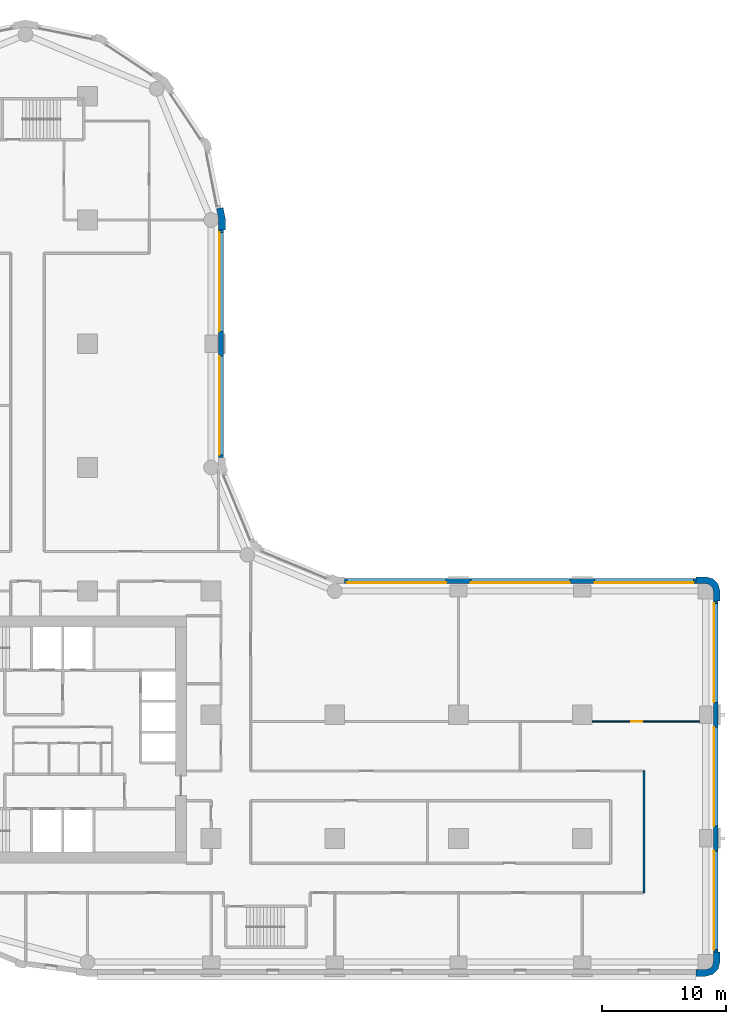
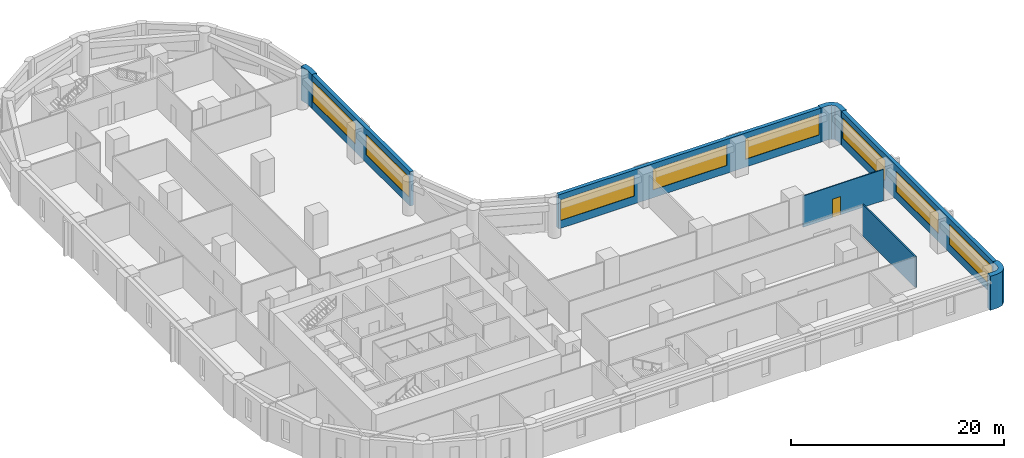
# One storey, part 7 of 11: 8 walls, 8 windows, 1 door, 9 openings.
"""IFC4 building model written with IfcOpenShell, lengths in metres."""

import ifcopenshell
import ifcopenshell.guid

model = None  # the IFC model being written
_history = None  # IfcOwnerHistory: only IFC2X3 demands one
_inside = {}  # id of a spatial element -> (the spatial element, [elements in it])
_under = {}  # id of a project, library or spatial element -> (it, [spatial elements below it])
_declared = {}  # id of a project -> (the project, [libraries it declares])
_typed = {}  # id of a type object -> (the type object, [elements of that type])
_made_of = {}  # id of a material, layer set ... -> (it, [elements and type objects made of it])


def new_model(schema):
    """Start an empty IFC model of exactly this schema.

    Asked for "IFC4X3", IfcOpenShell would pick the latest addendum, in which some entities
    have other attributes; the version numbers below select the first issue.
    IFC2X3 requires an IfcOwnerHistory on every rooted entity: one is made here for all.
    """
    global model, _history
    if schema == "IFC4X3":
        model = ifcopenshell.file(schema_version=(4, 3, 0, 0))
    else:
        model = ifcopenshell.file(schema=schema)
    _inside.clear()
    _under.clear()
    _declared.clear()
    _typed.clear()
    _made_of.clear()
    _history = None
    if model.schema == "IFC2X3":
        org = make("IfcOrganization", Name="unknown")
        user = make(
            "IfcPersonAndOrganization",
            ThePerson=make("IfcPerson", FamilyName="unknown"),
            TheOrganization=org,
        )
        app = make(
            "IfcApplication",
            ApplicationDeveloper=org,
            Version="unknown",
            ApplicationFullName="unknown",
            ApplicationIdentifier="unknown",
        )
        _history = make(
            "IfcOwnerHistory",
            OwningUser=user,
            OwningApplication=app,
            ChangeAction="ADDED",
            CreationDate=0,
        )
    return model


def make(cls, **values):
    """One entity of the class cls with the attributes given. An attribute that is None is left unset."""
    return model.create_entity(
        cls, **{name: value for name, value in values.items() if value is not None}
    )


def rooted(cls, **values):
    """An entity with a GlobalId (a new one), such as an element, a storey or a relation."""
    return make(cls, GlobalId=ifcopenshell.guid.new(), OwnerHistory=_history, **values)


def si_unit(unit_type, name, prefix=None):
    """IfcSIUnit, for example si_unit("LENGTHUNIT", "METRE", prefix="MILLI")."""
    return make("IfcSIUnit", UnitType=unit_type, Prefix=prefix, Name=name)


def assignment(units):
    """IfcUnitAssignment: the units of a project."""
    return None if units is None else make("IfcUnitAssignment", Units=units)


def point(xyz):
    """IfcCartesianPoint."""
    return None if xyz is None else make("IfcCartesianPoint", Coordinates=xyz)


def direction(xyz):
    """IfcDirection."""
    return None if xyz is None else make("IfcDirection", DirectionRatios=xyz)


def frame(location, z_axis=None, x_axis=None):
    """IfcAxis2Placement3D, a coordinate frame: its origin and axes. An axis left out is left unset."""
    return make(
        "IfcAxis2Placement3D",
        Location=point(location),
        Axis=direction(z_axis),
        RefDirection=direction(x_axis),
    )


def frame_2d(location, x_axis=None):
    """IfcAxis2Placement2D, a coordinate frame in the plane: its origin and x axis."""
    return make(
        "IfcAxis2Placement2D", Location=point(location), RefDirection=direction(x_axis)
    )


def origin():
    """The frame at (0, 0, 0) with its axes left unset."""
    return frame((0.0, 0.0, 0.0))


def place(relative_to, where):
    """IfcLocalPlacement: puts the frame where relative to a parent placement (None: the world)."""
    return make(
        "IfcLocalPlacement", PlacementRelTo=relative_to, RelativePlacement=where
    )


def context(
    kind, dimensions, precision=None, world=None, true_north=None, identifier=None
):
    """IfcGeometricRepresentationContext, for example the 3D "Model" context."""
    return make(
        "IfcGeometricRepresentationContext",
        ContextIdentifier=identifier,
        ContextType=kind,
        CoordinateSpaceDimension=dimensions,
        Precision=precision,
        WorldCoordinateSystem=world,
        TrueNorth=true_north,
    )


def subcontext(parent, identifier, kind, view, scale=None):
    """IfcGeometricRepresentationSubContext, for example "Body" below "Model"."""
    return make(
        "IfcGeometricRepresentationSubContext",
        ContextIdentifier=identifier,
        ContextType=kind,
        ParentContext=parent,
        TargetScale=scale,
        TargetView=view,
    )


def project(units=None, contexts=None):
    """IfcProject with its units and contexts."""
    return rooted(
        "IfcProject",
        Name="project",
        RepresentationContexts=contexts,
        UnitsInContext=assignment(units),
    )


def spatial(cls, under=None, at=None, **own):
    """A site, building, storey or space (cls), placed at a placement, below another one or the project."""
    s = rooted(cls, ObjectPlacement=at, **own)
    if under is not None:
        _under.setdefault(under.id(), (under, []))[1].append(s)
    return s


def polyline(points):
    """IfcPolyline through the points."""
    return make("IfcPolyline", Points=[point(p) for p in points])


def profile(cls, at=None, kind="AREA", **sizes):
    """A parametric profile (cls). Its sizes go by their IFC names, for example OverallWidth=200.0."""
    return make(cls, ProfileType=kind, Position=at, **sizes)


def rectangle(**sizes):
    """IfcRectangleProfileDef."""
    return profile("IfcRectangleProfileDef", **sizes)


def outline(outer, holes=None, kind="AREA"):
    """IfcArbitraryClosedProfileDef: a profile drawn as a closed curve; with holes, ...WithVoids."""
    if holes is None:
        return make("IfcArbitraryClosedProfileDef", ProfileType=kind, OuterCurve=outer)
    return make(
        "IfcArbitraryProfileDefWithVoids",
        ProfileType=kind,
        OuterCurve=outer,
        InnerCurves=holes,
    )


def extrude(swept, where, along, depth):
    """IfcExtrudedAreaSolid: the profile swept, set in the frame where, extruded along a direction by depth."""
    return make(
        "IfcExtrudedAreaSolid",
        SweptArea=swept,
        Position=where,
        ExtrudedDirection=direction(along),
        Depth=depth,
    )


def shape(context_of_items, identifier, shape_type, items):
    """IfcShapeRepresentation: the items that make up one representation, for example the "Body"."""
    return make(
        "IfcShapeRepresentation",
        ContextOfItems=context_of_items,
        RepresentationIdentifier=identifier,
        RepresentationType=shape_type,
        Items=items,
    )


def material(Name=None, Category=None):
    """IfcMaterial."""
    return make("IfcMaterial", Name=Name, Category=Category)


def layer(
    of_material, thickness, ventilated=None, Name=None, Category=None, Priority=None
):
    """IfcMaterialLayer: one layer of a wall or slab, of a material (None: an air gap)."""
    return make(
        "IfcMaterialLayer",
        Material=of_material,
        LayerThickness=thickness,
        IsVentilated=ventilated,
        Name=Name,
        Category=Category,
        Priority=Priority,
    )


def layer_set(layers, Name=None):
    """IfcMaterialLayerSet."""
    return make("IfcMaterialLayerSet", MaterialLayers=layers, LayerSetName=Name)


def made_of(thing, what):
    """Note that an element or type object is made of a material, layer set ...; save() writes the relation."""
    if what is not None:
        _made_of.setdefault(what.id(), (what, []))[1].append(thing)
    return thing


def type_object(cls, material=None, **own):
    """A type object (cls), such as IfcWallType, which elements share."""
    return made_of(rooted(cls, **own), material)


def element(
    cls,
    number,
    at=None,
    inside=None,
    cuts=None,
    type_object=None,
    material=None,
    context=None,
    identifier="Body",
    shape_type=None,
    held_by="IfcProductDefinitionShape",
    body=None,
    shapes=None,
    **own,
):
    """One element of the class cls, such as IfcWall. Its Tag is "e" and its number.

    at: its placement. inside: the storey or other place that contains it. cuts: it is an
    opening in that element (IfcRelVoidsElement). A single representation is given by context,
    identifier, shape_type and body (its items); several are given by shapes. held_by: the class
    of the entity that holds the representations. save() writes the other relations.
    """
    e = rooted(cls, Tag="e%d" % number, ObjectPlacement=at, **own)
    if body is not None:
        shapes = [shape(context, identifier, shape_type, body)]
    if shapes is not None:
        e.Representation = make(held_by, Representations=shapes)
    if inside is not None:
        _inside.setdefault(inside.id(), (inside, []))[1].append(e)
    if cuts is not None:
        rooted(
            "IfcRelVoidsElement", RelatingBuildingElement=cuts, RelatedOpeningElement=e
        )
    if type_object is not None:
        _typed.setdefault(type_object.id(), (type_object, []))[1].append(e)
    return made_of(e, material)


def fill(opening, filler):
    """IfcRelFillsElement: the door or window that sits in an opening."""
    return rooted(
        "IfcRelFillsElement",
        RelatingOpeningElement=opening,
        RelatedBuildingElement=filler,
    )


def aggregate(whole, parts):
    """IfcRelAggregates: a whole, such as a stair, and the parts it consists of."""
    return rooted("IfcRelAggregates", RelatingObject=whole, RelatedObjects=parts)


def save(model, path):
    """Write the relations noted so far, then the file.

    IfcRelAggregates (storeys below a building ...), IfcRelContainedInSpatialStructure (elements
    in a storey), IfcRelDefinesByType, IfcRelAssociatesMaterial and IfcRelDeclares: one each for
    every whole, place, type object, material and project.
    """
    for whole, parts in _under.values():
        aggregate(whole, parts)
    for where, things in _inside.values():
        rooted(
            "IfcRelContainedInSpatialStructure",
            RelatedElements=things,
            RelatingStructure=where,
        )
    for kind, things in _typed.values():
        rooted("IfcRelDefinesByType", RelatedObjects=things, RelatingType=kind)
    for what, things in _made_of.values():
        rooted("IfcRelAssociatesMaterial", RelatedObjects=things, RelatingMaterial=what)
    for by, libraries in _declared.values():
        rooted("IfcRelDeclares", RelatingContext=by, RelatedDefinitions=libraries)
    model.write(path)


model = new_model("IFC4")

# Units and contexts
model_context = context("Model", 3, precision=1e-05, world=origin(), true_north=direction((0.0, 1.0)))
body_context = subcontext(model_context, "Body", "Model", "MODEL_VIEW")
ifc_project = project(units=[si_unit("LENGTHUNIT", "METRE"), si_unit("AREAUNIT", "SQUARE_METRE"), si_unit("VOLUMEUNIT", "CUBIC_METRE"), si_unit("PLANEANGLEUNIT", "RADIAN"), si_unit("MASSUNIT", "GRAM", prefix="KILO")], contexts=[model_context])

# Site, building, storey
site_placement = place(None, origin())
site = spatial("IfcSite", under=ifc_project, at=site_placement, CompositionType="ELEMENT")
building_placement = place(site_placement, origin())
building = spatial("IfcBuilding", under=site, at=building_placement, Name="Qaws Garden Tower", CompositionType="ELEMENT")
storey_placement = place(building_placement, frame((0.0, 0.0, 31.5)))
storey = spatial("IfcBuildingStorey", under=building, at=storey_placement, Name="L07", CompositionType="ELEMENT", Elevation=31.5)

# Walls
ifc_material_1 = material(Name="Clay facing brick masonry", Category="masonry")
ifc_layer_1 = layer(ifc_material_1, 0.550048828125)
ifc_layer_set_1 = layer_set([ifc_layer_1], Name="Clay facing brick masonry")
wall_type_1 = type_object("IfcWallType", Name="Brick corner pier 550 x 2400", PredefinedType="SOLIDWALL", material=ifc_layer_set_1)
placement = place(storey_placement, origin())
element("IfcWall", 1, at=placement, inside=storey, type_object=wall_type_1, Name="E-L07-pier-05", PredefinedType="SOLIDWALL", context=body_context, shape_type="SweptSolid", body=[
    extrude(outline(polyline([(69.199951171875, -1.0), (69.199951171875, -1.14990234375), (70.0, -1.14990234375), (70.574951171875, -0.995849609375), (70.995849609375, -0.574951171875), (71.14990234375, 0.0), (71.14990234375, 0.800048828125), (71.0, 0.800048828125), (70.60009765625, 0.800048828125), (70.60009765625, 0.0), (70.51953125, -0.300048828125), (70.300048828125, -0.51953125), (70.0, -0.60009765625), (69.199951171875, -0.60009765625), (69.199951171875, -1.0)])), origin(), (0.0, 0.0, 1.0), 3.89990234375),
])
element("IfcWall", 2, at=placement, inside=storey, type_object=wall_type_1, Name="E-L07-pier-08", PredefinedType="SOLIDWALL", context=body_context, shape_type="SweptSolid", body=[
    extrude(outline(polyline([(71.0, 29.199951171875), (71.14990234375, 29.199951171875), (71.14990234375, 30.0), (70.995849609375, 30.574951171875), (70.574951171875, 30.995849609375), (70.0, 31.14990234375), (69.199951171875, 31.14990234375), (69.199951171875, 31.0), (69.199951171875, 30.60009765625), (70.0, 30.60009765625), (70.300048828125, 30.51953125), (70.51953125, 30.300048828125), (70.60009765625, 30.0), (70.60009765625, 29.199951171875), (71.0, 29.199951171875)])), origin(), (0.0, 0.0, 1.0), 3.89990234375),
])

# Wall, openings, windows
ifc_material_2 = material(Name="Clay facing brick masonry", Category="masonry")
ifc_layer_2 = layer(ifc_material_2, 0.39990234375)
ifc_layer_set_2 = layer_set([ifc_layer_2], Name="Clay facing brick masonry")
wall_type_2 = type_object("IfcWallType", Name="Brick infill wall 400", PredefinedType="SOLIDWALL", material=ifc_layer_set_2)
wall_3_placement = place(storey_placement, frame((70.800048828125, 0.800048828125, 0.0), z_axis=(0.0, 0.0, 1.0), x_axis=(0.0, 1.0, 0.0)))
wall_3 = element("IfcWall", 3, at=wall_3_placement, inside=storey, type_object=wall_type_2, Name="E-L07-infill-05", PredefinedType="SOLIDWALL", context=body_context, shape_type="SweptSolid", body=[
    extrude(rectangle(XDim=28.39990234375, YDim=0.39990234375, at=frame_2d((14.199951171875, 0.0))), origin(), (0.0, 0.0, 1.0), 3.89990234375),
])
opening_1_placement = place(wall_3_placement, frame((0.199951171875, 0.0, 0.89990234375)))
opening_1 = element("IfcOpeningElement", 4, at=opening_1_placement, cuts=wall_3, Name="Opening W01", PredefinedType="OPENING", context=body_context, shape_type="SweptSolid", body=[
    extrude(rectangle(XDim=8.0, YDim=2.35009765625, at=frame_2d((4.0, 1.175048828125))), frame((0.0, 0.2099609375, 0.0), z_axis=(0.0, -1.0, 0.0), x_axis=(1.0, 0.0, 0.0)), (0.0, 0.0, 1.0), 0.419921875),
])
opening_2_placement = place(wall_3_placement, frame((10.199951171875, 0.0, 0.89990234375)))
opening_2 = element("IfcOpeningElement", 5, at=opening_2_placement, cuts=wall_3, Name="Opening W01", PredefinedType="OPENING", context=body_context, shape_type="SweptSolid", body=[
    extrude(rectangle(XDim=8.0, YDim=2.35009765625, at=frame_2d((4.0, 1.175048828125))), frame((0.0, 0.2099609375, 0.0), z_axis=(0.0, -1.0, 0.0), x_axis=(1.0, 0.0, 0.0)), (0.0, 0.0, 1.0), 0.419921875),
])
opening_3_placement = place(wall_3_placement, frame((20.199951171875, 0.0, 0.89990234375)))
opening_3 = element("IfcOpeningElement", 6, at=opening_3_placement, cuts=wall_3, Name="Opening W01", PredefinedType="OPENING", context=body_context, shape_type="SweptSolid", body=[
    extrude(rectangle(XDim=8.0, YDim=2.35009765625, at=frame_2d((4.0, 1.175048828125))), frame((0.0, 0.2099609375, 0.0), z_axis=(0.0, -1.0, 0.0), x_axis=(1.0, 0.0, 0.0)), (0.0, 0.0, 1.0), 0.419921875),
])
ifc_material_3 = material(Name="Aluminium framed window, clear glazing", Category="aluminium")
window_type = type_object("IfcWindowType", Name="Ribbon window 8000 x 2350", PartitioningType="DOUBLE_PANEL_VERTICAL", PredefinedType="WINDOW", material=ifc_material_3)
window_1_placement = place(opening_1_placement, origin())
window_1 = element("IfcWindow", 7, at=window_1_placement, inside=storey, type_object=window_type, Name="E-L07-window-05-0", OverallHeight=2.35009765625, OverallWidth=8.0, PartitioningType="SINGLE_PANEL", PredefinedType="WINDOW", context=body_context, shape_type="SweptSolid", body=[
    extrude(rectangle(XDim=8.0, YDim=2.35009765625, at=frame_2d((4.0, 1.175048828125))), frame((0.0, 0.159912109375, 0.0), z_axis=(0.0, -1.0, 0.0), x_axis=(1.0, 0.0, 0.0)), (0.0, 0.0, 1.0), 0.06005859375),
])
fill(opening_1, window_1)
window_2_placement = place(opening_2_placement, origin())
window_2 = element("IfcWindow", 8, at=window_2_placement, inside=storey, type_object=window_type, Name="E-L07-window-06-0", OverallHeight=2.35009765625, OverallWidth=8.0, PartitioningType="SINGLE_PANEL", PredefinedType="WINDOW", context=body_context, shape_type="SweptSolid", body=[
    extrude(rectangle(XDim=8.0, YDim=2.35009765625, at=frame_2d((4.0, 1.175048828125))), frame((0.0, 0.159912109375, 0.0), z_axis=(0.0, -1.0, 0.0), x_axis=(1.0, 0.0, 0.0)), (0.0, 0.0, 1.0), 0.06005859375),
])
fill(opening_2, window_2)
window_3_placement = place(opening_3_placement, origin())
window_3 = element("IfcWindow", 9, at=window_3_placement, inside=storey, type_object=window_type, Name="E-L07-window-07-0", OverallHeight=2.35009765625, OverallWidth=8.0, PartitioningType="SINGLE_PANEL", PredefinedType="WINDOW", context=body_context, shape_type="SweptSolid", body=[
    extrude(rectangle(XDim=8.0, YDim=2.35009765625, at=frame_2d((4.0, 1.175048828125))), frame((0.0, 0.159912109375, 0.0), z_axis=(0.0, -1.0, 0.0), x_axis=(1.0, 0.0, 0.0)), (0.0, 0.0, 1.0), 0.06005859375),
])
fill(opening_3, window_3)

wall_4_placement = place(storey_placement, frame((69.199951171875, 30.800048828125, 0.0), z_axis=(0.0, 0.0, 1.0), x_axis=(-1.0, 0.0, 0.0)))
wall_4 = element("IfcWall", 10, at=wall_4_placement, inside=storey, type_object=wall_type_2, Name="E-L07-infill-08", PredefinedType="SOLIDWALL", context=body_context, shape_type="SweptSolid", body=[
    extrude(rectangle(XDim=28.39990234375, YDim=0.39990234375, at=frame_2d((14.199951171875, 0.0))), origin(), (0.0, 0.0, 1.0), 3.89990234375),
])
opening_4_placement = place(wall_4_placement, frame((0.199951171875, 0.0, 0.89990234375)))
opening_4 = element("IfcOpeningElement", 11, at=opening_4_placement, cuts=wall_4, Name="Opening W01", PredefinedType="OPENING", context=body_context, shape_type="SweptSolid", body=[
    extrude(rectangle(XDim=8.0, YDim=2.35009765625, at=frame_2d((4.0, 1.175048828125))), frame((0.0, 0.2099609375, 0.0), z_axis=(0.0, -1.0, 0.0), x_axis=(1.0, 0.0, 0.0)), (0.0, 0.0, 1.0), 0.419921875),
])
opening_5_placement = place(wall_4_placement, frame((10.199951171875, 0.0, 0.89990234375)))
opening_5 = element("IfcOpeningElement", 12, at=opening_5_placement, cuts=wall_4, Name="Opening W01", PredefinedType="OPENING", context=body_context, shape_type="SweptSolid", body=[
    extrude(rectangle(XDim=8.0, YDim=2.35009765625, at=frame_2d((4.0, 1.175048828125))), frame((0.0, 0.2099609375, 0.0), z_axis=(0.0, -1.0, 0.0), x_axis=(1.0, 0.0, 0.0)), (0.0, 0.0, 1.0), 0.419921875),
])
opening_6_placement = place(wall_4_placement, frame((20.199951171875, 0.0, 0.89990234375)))
opening_6 = element("IfcOpeningElement", 13, at=opening_6_placement, cuts=wall_4, Name="Opening W01", PredefinedType="OPENING", context=body_context, shape_type="SweptSolid", body=[
    extrude(rectangle(XDim=8.0, YDim=2.35009765625, at=frame_2d((4.0, 1.175048828125))), frame((0.0, 0.2099609375, 0.0), z_axis=(0.0, -1.0, 0.0), x_axis=(1.0, 0.0, 0.0)), (0.0, 0.0, 1.0), 0.419921875),
])
window_4_placement = place(opening_4_placement, origin())
window_4 = element("IfcWindow", 14, at=window_4_placement, inside=storey, type_object=window_type, Name="E-L07-window-08-0", OverallHeight=2.35009765625, OverallWidth=8.0, PartitioningType="SINGLE_PANEL", PredefinedType="WINDOW", context=body_context, shape_type="SweptSolid", body=[
    extrude(rectangle(XDim=8.0, YDim=2.35009765625, at=frame_2d((4.0, 1.175048828125))), frame((0.0, 0.159912109375, 0.0), z_axis=(0.0, -1.0, 0.0), x_axis=(1.0, 0.0, 0.0)), (0.0, 0.0, 1.0), 0.06005859375),
])
fill(opening_4, window_4)
window_5_placement = place(opening_5_placement, origin())
window_5 = element("IfcWindow", 15, at=window_5_placement, inside=storey, type_object=window_type, Name="E-L07-window-09-0", OverallHeight=2.35009765625, OverallWidth=8.0, PartitioningType="SINGLE_PANEL", PredefinedType="WINDOW", context=body_context, shape_type="SweptSolid", body=[
    extrude(rectangle(XDim=8.0, YDim=2.35009765625, at=frame_2d((4.0, 1.175048828125))), frame((0.0, 0.159912109375, 0.0), z_axis=(0.0, -1.0, 0.0), x_axis=(1.0, 0.0, 0.0)), (0.0, 0.0, 1.0), 0.06005859375),
])
fill(opening_5, window_5)
window_6_placement = place(opening_6_placement, origin())
window_6 = element("IfcWindow", 16, at=window_6_placement, inside=storey, type_object=window_type, Name="E-L07-window-10-0", OverallHeight=2.35009765625, OverallWidth=8.0, PartitioningType="SINGLE_PANEL", PredefinedType="WINDOW", context=body_context, shape_type="SweptSolid", body=[
    extrude(rectangle(XDim=8.0, YDim=2.35009765625, at=frame_2d((4.0, 1.175048828125))), frame((0.0, 0.159912109375, 0.0), z_axis=(0.0, -1.0, 0.0), x_axis=(1.0, 0.0, 0.0)), (0.0, 0.0, 1.0), 0.06005859375),
])
fill(opening_6, window_6)

wall_5_placement = place(storey_placement, frame((30.800048828125, 40.800048828125, 0.0), z_axis=(0.0, 0.0, 1.0), x_axis=(0.0, 1.0, 0.0)))
wall_5 = element("IfcWall", 17, at=wall_5_placement, inside=storey, type_object=wall_type_2, Name="E-L07-infill-13", PredefinedType="SOLIDWALL", context=body_context, shape_type="SweptSolid", body=[
    extrude(rectangle(XDim=18.39990234375, YDim=0.39990234375, at=frame_2d((9.199951171875, 0.0))), origin(), (0.0, 0.0, 1.0), 3.89990234375),
])
opening_7_placement = place(wall_5_placement, frame((0.199951171875, 0.0, 0.89990234375)))
opening_7 = element("IfcOpeningElement", 18, at=opening_7_placement, cuts=wall_5, Name="Opening W01", PredefinedType="OPENING", context=body_context, shape_type="SweptSolid", body=[
    extrude(rectangle(XDim=8.0, YDim=2.35009765625, at=frame_2d((4.0, 1.175048828125))), frame((0.0, 0.2099609375, 0.0), z_axis=(0.0, -1.0, 0.0), x_axis=(1.0, 0.0, 0.0)), (0.0, 0.0, 1.0), 0.419921875),
])
opening_8_placement = place(wall_5_placement, frame((10.199951171875, 0.0, 0.89990234375)))
opening_8 = element("IfcOpeningElement", 19, at=opening_8_placement, cuts=wall_5, Name="Opening W01", PredefinedType="OPENING", context=body_context, shape_type="SweptSolid", body=[
    extrude(rectangle(XDim=8.0, YDim=2.35009765625, at=frame_2d((4.0, 1.175048828125))), frame((0.0, 0.2099609375, 0.0), z_axis=(0.0, -1.0, 0.0), x_axis=(1.0, 0.0, 0.0)), (0.0, 0.0, 1.0), 0.419921875),
])
window_7_placement = place(opening_7_placement, origin())
window_7 = element("IfcWindow", 20, at=window_7_placement, inside=storey, type_object=window_type, Name="E-L07-window-13-0", OverallHeight=2.35009765625, OverallWidth=8.0, PartitioningType="SINGLE_PANEL", PredefinedType="WINDOW", context=body_context, shape_type="SweptSolid", body=[
    extrude(rectangle(XDim=8.0, YDim=2.35009765625, at=frame_2d((4.0, 1.175048828125))), frame((0.0, 0.159912109375, 0.0), z_axis=(0.0, -1.0, 0.0), x_axis=(1.0, 0.0, 0.0)), (0.0, 0.0, 1.0), 0.06005859375),
])
fill(opening_7, window_7)
window_8_placement = place(opening_8_placement, origin())
window_8 = element("IfcWindow", 21, at=window_8_placement, inside=storey, type_object=window_type, Name="E-L07-window-14-0", OverallHeight=2.35009765625, OverallWidth=8.0, PartitioningType="SINGLE_PANEL", PredefinedType="WINDOW", context=body_context, shape_type="SweptSolid", body=[
    extrude(rectangle(XDim=8.0, YDim=2.35009765625, at=frame_2d((4.0, 1.175048828125))), frame((0.0, 0.159912109375, 0.0), z_axis=(0.0, -1.0, 0.0), x_axis=(1.0, 0.0, 0.0)), (0.0, 0.0, 1.0), 0.06005859375),
])
fill(opening_8, window_8)

# Wall
ifc_material_4 = material(Name="Clay facing brick masonry", Category="masonry")
ifc_layer_3 = layer(ifc_material_4, 0.550048828125)
ifc_layer_set_3 = layer_set([ifc_layer_3], Name="Clay facing brick masonry")
wall_type_3 = type_object("IfcWallType", Name="Brick pier 550 x 1600", PredefinedType="SOLIDWALL", material=ifc_layer_set_3)
element("IfcWall", 22, at=placement, inside=storey, type_object=wall_type_3, Name="E-L07-pier-15", PredefinedType="SOLIDWALL", context=body_context, shape_type="SweptSolid", body=[
    extrude(outline(polyline([(31.0, 59.199951171875), (31.14990234375, 59.199951171875), (31.14990234375, 60.11328125), (30.971923828125, 61.009033203125), (30.82470703125, 60.979736328125), (30.432373046875, 60.901611328125), (30.60009765625, 60.05908203125), (30.60009765625, 59.199951171875), (31.0, 59.199951171875)])), origin(), (0.0, 0.0, 1.0), 3.89990234375),
])

# Wall, opening, door
ifc_material_5 = material(Name="Gypsum board partition")
ifc_layer_4 = layer(ifc_material_5, 0.10009765625)
ifc_layer_set_4 = layer_set([ifc_layer_4], Name="Gypsum board partition")
wall_type_4 = type_object("IfcWallType", Name="PARTITION 100", PredefinedType="PARTITIONING", material=ifc_layer_set_4)
wall_7_placement = place(storey_placement, frame((60.800048828125, 19.449951171875, 0.0), z_axis=(0.0, 0.0, 1.0), x_axis=(1.0, 0.0, 0.0)))
wall_7 = element("IfcWall", 23, at=wall_7_placement, inside=storey, type_object=wall_type_4, Name="O-L07-wall-003", PredefinedType="PARTITIONING", context=body_context, shape_type="SweptSolid", body=[
    extrude(rectangle(XDim=8.699951171875, YDim=0.10009765625, at=frame_2d((4.35009765625, 0.0))), origin(), (0.0, 0.0, 1.0), 3.580078125),
])
opening_9_placement = place(wall_7_placement, frame((3.14990234375, 0.0, 0.0)))
opening_9 = element("IfcOpeningElement", 24, at=opening_9_placement, cuts=wall_7, Name="Opening A230", PredefinedType="OPENING", context=body_context, shape_type="SweptSolid", body=[
    extrude(rectangle(XDim=0.89990234375, YDim=2.10009765625, at=frame_2d((0.449951171875, 1.050048828125))), frame((0.0, 0.06005859375, 0.0), z_axis=(0.0, -1.0, 0.0), x_axis=(1.0, 0.0, 0.0)), (0.0, 0.0, 1.0), 0.1201171875),
])
ifc_material_6 = material(Name="Timber door leaf", Category="wood")
door_type = type_object("IfcDoorType", Name="OFFICE DOOR 900 X 2100", OperationType="SINGLE_SWING_LEFT", PredefinedType="DOOR", material=ifc_material_6)
door_placement = place(opening_9_placement, frame((0.89990234375, 0.0, 0.0), z_axis=(0.0, 0.0, 1.0), x_axis=(-1.0, 0.0, 0.0)))
door = element("IfcDoor", 25, at=door_placement, inside=storey, type_object=door_type, Name="O-L07-door-030", OperationType="SINGLE_SWING_RIGHT", OverallHeight=2.10009765625, OverallWidth=0.89990234375, PredefinedType="DOOR", context=body_context, shape_type="SweptSolid", body=[
    extrude(rectangle(XDim=0.89990234375, YDim=2.10009765625, at=frame_2d((0.449951171875, 1.050048828125))), frame((0.0, 0.02490234375, 0.0), z_axis=(0.0, -1.0, 0.0), x_axis=(1.0, 0.0, 0.0)), (0.0, 0.0, 1.0), 0.050048828125),
])
fill(opening_9, door)

# Wall
ifc_material_7 = material(Name="Gypsum board partition")
ifc_layer_5 = layer(ifc_material_7, 0.14990234375)
ifc_layer_set_5 = layer_set([ifc_layer_5], Name="Gypsum board partition")
wall_type_5 = type_object("IfcWallType", Name="PARTITION 150 EI 60", PredefinedType="PARTITIONING", material=ifc_layer_set_5)
wall_8_placement = place(storey_placement, frame((65.0, 5.60009765625, 0.0), z_axis=(0.0, 0.0, 1.0), x_axis=(0.0, 1.0, 0.0)))
element("IfcWall", 26, at=wall_8_placement, inside=storey, type_object=wall_type_5, Name="O-L07-wall-035", PredefinedType="PARTITIONING", context=body_context, shape_type="SweptSolid", body=[
    extrude(rectangle(XDim=9.849853515625, YDim=0.14990234375, at=frame_2d((4.9248046875, 0.0))), origin(), (0.0, 0.0, 1.0), 3.580078125),
])

save(model, "model.ifc")
